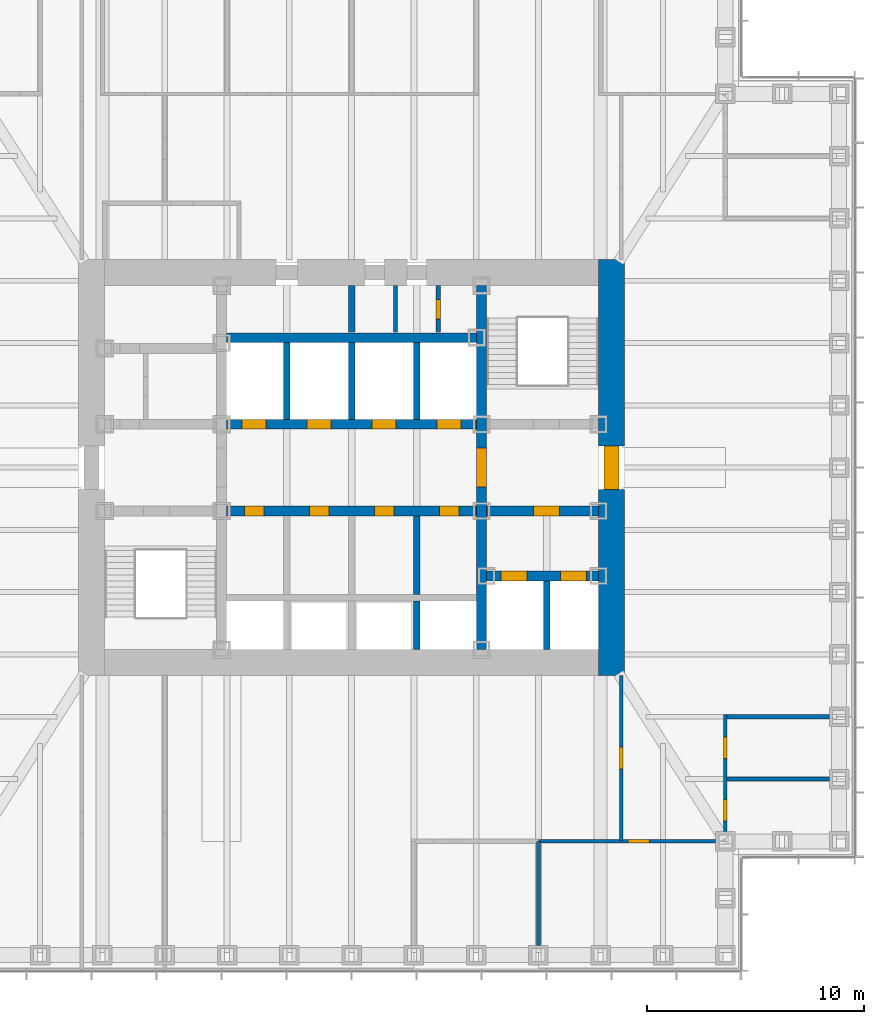
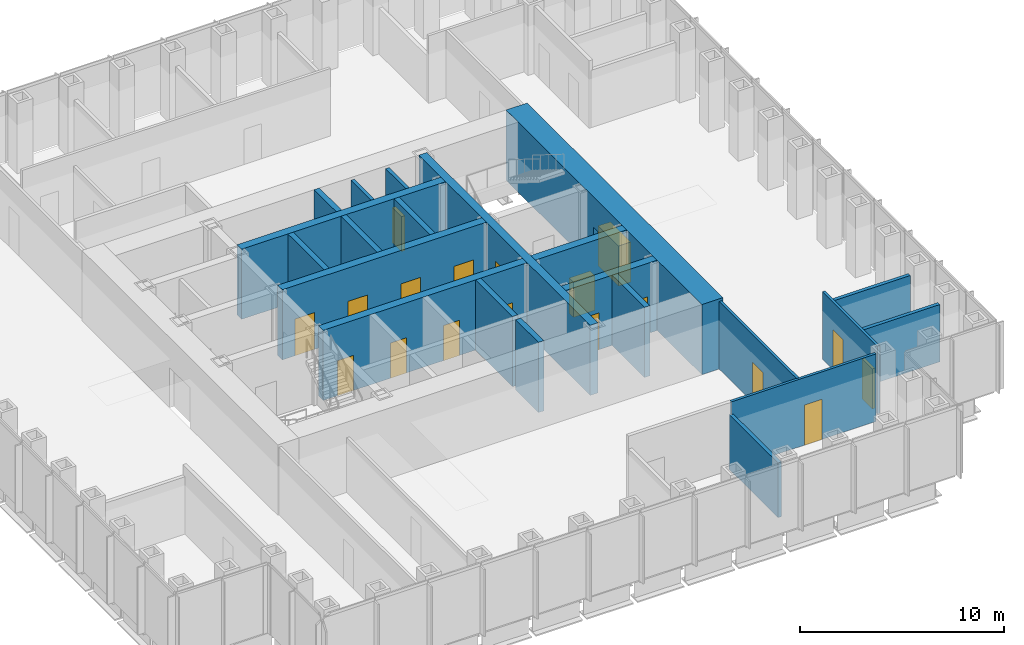
# One storey, part 9 of 17: 22 walls, 18 doors, 18 openings.
"""IFC4 building model written with IfcOpenShell, lengths in metres."""

import ifcopenshell
import ifcopenshell.guid

model = None  # the IFC model being written
_history = None  # IfcOwnerHistory: only IFC2X3 demands one
_inside = {}  # id of a spatial element -> (the spatial element, [elements in it])
_under = {}  # id of a project, library or spatial element -> (it, [spatial elements below it])
_declared = {}  # id of a project -> (the project, [libraries it declares])
_typed = {}  # id of a type object -> (the type object, [elements of that type])
_made_of = {}  # id of a material, layer set ... -> (it, [elements and type objects made of it])


def new_model(schema):
    """Start an empty IFC model of exactly this schema.

    Asked for "IFC4X3", IfcOpenShell would pick the latest addendum, in which some entities
    have other attributes; the version numbers below select the first issue.
    IFC2X3 requires an IfcOwnerHistory on every rooted entity: one is made here for all.
    """
    global model, _history
    if schema == "IFC4X3":
        model = ifcopenshell.file(schema_version=(4, 3, 0, 0))
    else:
        model = ifcopenshell.file(schema=schema)
    _inside.clear()
    _under.clear()
    _declared.clear()
    _typed.clear()
    _made_of.clear()
    _history = None
    if model.schema == "IFC2X3":
        org = make("IfcOrganization", Name="unknown")
        user = make(
            "IfcPersonAndOrganization",
            ThePerson=make("IfcPerson", FamilyName="unknown"),
            TheOrganization=org,
        )
        app = make(
            "IfcApplication",
            ApplicationDeveloper=org,
            Version="unknown",
            ApplicationFullName="unknown",
            ApplicationIdentifier="unknown",
        )
        _history = make(
            "IfcOwnerHistory",
            OwningUser=user,
            OwningApplication=app,
            ChangeAction="ADDED",
            CreationDate=0,
        )
    return model


def make(cls, **values):
    """One entity of the class cls with the attributes given. An attribute that is None is left unset."""
    return model.create_entity(
        cls, **{name: value for name, value in values.items() if value is not None}
    )


def rooted(cls, **values):
    """An entity with a GlobalId (a new one), such as an element, a storey or a relation."""
    return make(cls, GlobalId=ifcopenshell.guid.new(), OwnerHistory=_history, **values)


def si_unit(unit_type, name, prefix=None):
    """IfcSIUnit, for example si_unit("LENGTHUNIT", "METRE", prefix="MILLI")."""
    return make("IfcSIUnit", UnitType=unit_type, Prefix=prefix, Name=name)


def assignment(units):
    """IfcUnitAssignment: the units of a project."""
    return None if units is None else make("IfcUnitAssignment", Units=units)


def point(xyz):
    """IfcCartesianPoint."""
    return None if xyz is None else make("IfcCartesianPoint", Coordinates=xyz)


def direction(xyz):
    """IfcDirection."""
    return None if xyz is None else make("IfcDirection", DirectionRatios=xyz)


def frame(location, z_axis=None, x_axis=None):
    """IfcAxis2Placement3D, a coordinate frame: its origin and axes. An axis left out is left unset."""
    return make(
        "IfcAxis2Placement3D",
        Location=point(location),
        Axis=direction(z_axis),
        RefDirection=direction(x_axis),
    )


def frame_2d(location, x_axis=None):
    """IfcAxis2Placement2D, a coordinate frame in the plane: its origin and x axis."""
    return make(
        "IfcAxis2Placement2D", Location=point(location), RefDirection=direction(x_axis)
    )


def origin():
    """The frame at (0, 0, 0) with its axes left unset."""
    return frame((0.0, 0.0, 0.0))


def place(relative_to, where):
    """IfcLocalPlacement: puts the frame where relative to a parent placement (None: the world)."""
    return make(
        "IfcLocalPlacement", PlacementRelTo=relative_to, RelativePlacement=where
    )


def context(
    kind, dimensions, precision=None, world=None, true_north=None, identifier=None
):
    """IfcGeometricRepresentationContext, for example the 3D "Model" context."""
    return make(
        "IfcGeometricRepresentationContext",
        ContextIdentifier=identifier,
        ContextType=kind,
        CoordinateSpaceDimension=dimensions,
        Precision=precision,
        WorldCoordinateSystem=world,
        TrueNorth=true_north,
    )


def subcontext(parent, identifier, kind, view, scale=None):
    """IfcGeometricRepresentationSubContext, for example "Body" below "Model"."""
    return make(
        "IfcGeometricRepresentationSubContext",
        ContextIdentifier=identifier,
        ContextType=kind,
        ParentContext=parent,
        TargetScale=scale,
        TargetView=view,
    )


def project(units=None, contexts=None):
    """IfcProject with its units and contexts."""
    return rooted(
        "IfcProject",
        Name="project",
        RepresentationContexts=contexts,
        UnitsInContext=assignment(units),
    )


def spatial(cls, under=None, at=None, **own):
    """A site, building, storey or space (cls), placed at a placement, below another one or the project."""
    s = rooted(cls, ObjectPlacement=at, **own)
    if under is not None:
        _under.setdefault(under.id(), (under, []))[1].append(s)
    return s


def profile(cls, at=None, kind="AREA", **sizes):
    """A parametric profile (cls). Its sizes go by their IFC names, for example OverallWidth=200.0."""
    return make(cls, ProfileType=kind, Position=at, **sizes)


def rectangle(**sizes):
    """IfcRectangleProfileDef."""
    return profile("IfcRectangleProfileDef", **sizes)


def extrude(swept, where, along, depth):
    """IfcExtrudedAreaSolid: the profile swept, set in the frame where, extruded along a direction by depth."""
    return make(
        "IfcExtrudedAreaSolid",
        SweptArea=swept,
        Position=where,
        ExtrudedDirection=direction(along),
        Depth=depth,
    )


def shape(context_of_items, identifier, shape_type, items):
    """IfcShapeRepresentation: the items that make up one representation, for example the "Body"."""
    return make(
        "IfcShapeRepresentation",
        ContextOfItems=context_of_items,
        RepresentationIdentifier=identifier,
        RepresentationType=shape_type,
        Items=items,
    )


def material(Name=None, Category=None):
    """IfcMaterial."""
    return make("IfcMaterial", Name=Name, Category=Category)


def layer(
    of_material, thickness, ventilated=None, Name=None, Category=None, Priority=None
):
    """IfcMaterialLayer: one layer of a wall or slab, of a material (None: an air gap)."""
    return make(
        "IfcMaterialLayer",
        Material=of_material,
        LayerThickness=thickness,
        IsVentilated=ventilated,
        Name=Name,
        Category=Category,
        Priority=Priority,
    )


def layer_set(layers, Name=None):
    """IfcMaterialLayerSet."""
    return make("IfcMaterialLayerSet", MaterialLayers=layers, LayerSetName=Name)


def made_of(thing, what):
    """Note that an element or type object is made of a material, layer set ...; save() writes the relation."""
    if what is not None:
        _made_of.setdefault(what.id(), (what, []))[1].append(thing)
    return thing


def type_object(cls, material=None, **own):
    """A type object (cls), such as IfcWallType, which elements share."""
    return made_of(rooted(cls, **own), material)


def element(
    cls,
    number,
    at=None,
    inside=None,
    cuts=None,
    type_object=None,
    material=None,
    context=None,
    identifier="Body",
    shape_type=None,
    held_by="IfcProductDefinitionShape",
    body=None,
    shapes=None,
    **own,
):
    """One element of the class cls, such as IfcWall. Its Tag is "e" and its number.

    at: its placement. inside: the storey or other place that contains it. cuts: it is an
    opening in that element (IfcRelVoidsElement). A single representation is given by context,
    identifier, shape_type and body (its items); several are given by shapes. held_by: the class
    of the entity that holds the representations. save() writes the other relations.
    """
    e = rooted(cls, Tag="e%d" % number, ObjectPlacement=at, **own)
    if body is not None:
        shapes = [shape(context, identifier, shape_type, body)]
    if shapes is not None:
        e.Representation = make(held_by, Representations=shapes)
    if inside is not None:
        _inside.setdefault(inside.id(), (inside, []))[1].append(e)
    if cuts is not None:
        rooted(
            "IfcRelVoidsElement", RelatingBuildingElement=cuts, RelatedOpeningElement=e
        )
    if type_object is not None:
        _typed.setdefault(type_object.id(), (type_object, []))[1].append(e)
    return made_of(e, material)


def fill(opening, filler):
    """IfcRelFillsElement: the door or window that sits in an opening."""
    return rooted(
        "IfcRelFillsElement",
        RelatingOpeningElement=opening,
        RelatedBuildingElement=filler,
    )


def aggregate(whole, parts):
    """IfcRelAggregates: a whole, such as a stair, and the parts it consists of."""
    return rooted("IfcRelAggregates", RelatingObject=whole, RelatedObjects=parts)


def save(model, path):
    """Write the relations noted so far, then the file.

    IfcRelAggregates (storeys below a building ...), IfcRelContainedInSpatialStructure (elements
    in a storey), IfcRelDefinesByType, IfcRelAssociatesMaterial and IfcRelDeclares: one each for
    every whole, place, type object, material and project.
    """
    for whole, parts in _under.values():
        aggregate(whole, parts)
    for where, things in _inside.values():
        rooted(
            "IfcRelContainedInSpatialStructure",
            RelatedElements=things,
            RelatingStructure=where,
        )
    for kind, things in _typed.values():
        rooted("IfcRelDefinesByType", RelatedObjects=things, RelatingType=kind)
    for what, things in _made_of.values():
        rooted("IfcRelAssociatesMaterial", RelatedObjects=things, RelatingMaterial=what)
    for by, libraries in _declared.values():
        rooted("IfcRelDeclares", RelatingContext=by, RelatedDefinitions=libraries)
    model.write(path)


model = new_model("IFC4")

# Units and contexts
model_context = context("Model", 3, precision=1e-05, world=origin(), true_north=direction((0.0, 1.0)))
body_context = subcontext(model_context, "Body", "Model", "MODEL_VIEW")
ifc_project = project(units=[si_unit("LENGTHUNIT", "METRE"), si_unit("AREAUNIT", "SQUARE_METRE"), si_unit("VOLUMEUNIT", "CUBIC_METRE"), si_unit("PLANEANGLEUNIT", "RADIAN"), si_unit("MASSUNIT", "GRAM", prefix="KILO")], contexts=[model_context])

# Site, building, storey
site_placement = place(None, origin())
site = spatial("IfcSite", under=ifc_project, at=site_placement, CompositionType="ELEMENT")
building_placement = place(site_placement, origin())
building = spatial("IfcBuilding", under=site, at=building_placement, Name="Daluyong Arena Tower", CompositionType="ELEMENT")
storey_placement = place(building_placement, frame((0.0, 0.0, 129.10009765625)))
storey = spatial("IfcBuildingStorey", under=building, at=storey_placement, Name="L28", CompositionType="ELEMENT", Elevation=129.10009765625)

# Wall, opening, door
ifc_material_1 = material(Name="Concrete fc' 45 MPa", Category="concrete")
ifc_layer_1 = layer(ifc_material_1, 0.449951171875)
ifc_layer_set_1 = layer_set([ifc_layer_1], Name="Concrete fc' 45 MPa")
wall_type_1 = type_object("IfcWallType", Name="Core inner wall 450", PredefinedType="SHEAR", material=ifc_layer_set_1)
wall_1_placement = place(storey_placement, frame((62.0, 71.60009765625, 0.0), z_axis=(0.0, 0.0, 1.0), x_axis=(0.0, 1.0, 0.0)))
wall_1 = element("IfcWall", 1, at=wall_1_placement, inside=storey, type_object=wall_type_1, Name="core inner wall at L28", PredefinedType="SHEAR", context=body_context, shape_type="SweptSolid", body=[
    extrude(rectangle(XDim=16.7998046875, YDim=0.449951171875, at=frame_2d((8.39990234375, 0.0))), origin(), (0.0, 0.0, 1.0), 4.199951171875),
])
opening_1_placement = place(wall_1_placement, frame((7.5, 0.0, 0.0)))
opening_1 = element("IfcOpeningElement", 2, at=opening_1_placement, cuts=wall_1, Name="Opening 28017", PredefinedType="OPENING", context=body_context, shape_type="SweptSolid", body=[
    extrude(rectangle(XDim=1.800048828125, YDim=2.39990234375, at=frame_2d((0.89990234375, 1.199951171875))), frame((0.0, 0.23486328125, 0.0), z_axis=(0.0, -1.0, 0.0), x_axis=(1.0, 0.0, 0.0)), (0.0, 0.0, 1.0), 0.469970703125),
])
ifc_material_2 = material(Name="Steel door, fire rated", Category="steel")
door_type_1 = type_object("IfcDoorType", Name="Lift lobby opening door 1800", OperationType="DOUBLE_DOOR_SINGLE_SWING", PredefinedType="DOOR", material=ifc_material_2)
door_1_placement = place(opening_1_placement, origin())
door_1 = element("IfcDoor", 3, at=door_1_placement, inside=storey, type_object=door_type_1, Name="lift lobby door east 28017", OperationType="DOUBLE_DOOR_SINGLE_SWING", OverallHeight=2.39990234375, OverallWidth=1.800048828125, PredefinedType="DOOR", context=body_context, shape_type="SweptSolid", body=[
    extrude(rectangle(XDim=1.800048828125, YDim=2.39990234375, at=frame_2d((0.89990234375, 1.199951171875))), frame((0.0, 0.224609375, 0.0), z_axis=(0.0, -1.0, 0.0), x_axis=(1.0, 0.0, 0.0)), (0.0, 0.0, 1.0), 0.449462890625),
])
fill(opening_1, door_1)

# Wall, openings, doors
wall_2_placement = place(storey_placement, frame((62.22509765625, 75.0, 0.0), z_axis=(0.0, 0.0, 1.0), x_axis=(1.0, 0.0, 0.0)))
wall_2 = element("IfcWall", 4, at=wall_2_placement, inside=storey, type_object=wall_type_1, Name="core inner wall at L28", PredefinedType="SHEAR", context=body_context, shape_type="SweptSolid", body=[
    extrude(rectangle(XDim=5.1748046875, YDim=0.449951171875, at=frame_2d((2.58740234375, 0.0))), origin(), (0.0, 0.0, 1.0), 4.199951171875),
])
opening_2_placement = place(wall_2_placement, frame((0.675048828125, 0.0, 0.0)))
opening_2 = element("IfcOpeningElement", 5, at=opening_2_placement, cuts=wall_2, Name="Opening 28023", PredefinedType="OPENING", context=body_context, shape_type="SweptSolid", body=[
    extrude(rectangle(XDim=1.199951171875, YDim=2.199951171875, at=frame_2d((0.60009765625, 1.10009765625))), frame((0.0, 0.23486328125, 0.0), z_axis=(0.0, -1.0, 0.0), x_axis=(1.0, 0.0, 0.0)), (0.0, 0.0, 1.0), 0.469970703125),
])
opening_3_placement = place(wall_2_placement, frame((3.425048828125, 0.0, 0.0)))
opening_3 = element("IfcOpeningElement", 6, at=opening_3_placement, cuts=wall_2, Name="Opening 28024", PredefinedType="OPENING", context=body_context, shape_type="SweptSolid", body=[
    extrude(rectangle(XDim=1.199951171875, YDim=2.199951171875, at=frame_2d((0.60009765625, 1.10009765625))), frame((0.0, 0.23486328125, 0.0), z_axis=(0.0, -1.0, 0.0), x_axis=(1.0, 0.0, 0.0)), (0.0, 0.0, 1.0), 0.469970703125),
])
ifc_material_3 = material(Name="Steel door, fire rated", Category="steel")
door_type_2 = type_object("IfcDoorType", Name="Firefighting lift landing door 1200", OperationType="SLIDING_TO_LEFT", PredefinedType="DOOR", material=ifc_material_3)
door_2_placement = place(opening_2_placement, origin())
door_2 = element("IfcDoor", 7, at=door_2_placement, inside=storey, type_object=door_type_2, Name="firefighting lift landing door F1 28023", OperationType="SLIDING_TO_LEFT", OverallHeight=2.199951171875, OverallWidth=1.199951171875, PredefinedType="DOOR", context=body_context, shape_type="SweptSolid", body=[
    extrude(rectangle(XDim=1.199951171875, YDim=2.199951171875, at=frame_2d((0.60009765625, 1.10009765625))), frame((0.0, 0.224609375, 0.0), z_axis=(0.0, -1.0, 0.0), x_axis=(1.0, 0.0, 0.0)), (0.0, 0.0, 1.0), 0.449462890625),
])
fill(opening_2, door_2)
door_3_placement = place(opening_3_placement, origin())
door_3 = element("IfcDoor", 8, at=door_3_placement, inside=storey, type_object=door_type_2, Name="firefighting lift landing door F2 28024", OperationType="SLIDING_TO_LEFT", OverallHeight=2.199951171875, OverallWidth=1.199951171875, PredefinedType="DOOR", context=body_context, shape_type="SweptSolid", body=[
    extrude(rectangle(XDim=1.199951171875, YDim=2.199951171875, at=frame_2d((0.60009765625, 1.10009765625))), frame((0.0, 0.224609375, 0.0), z_axis=(0.0, -1.0, 0.0), x_axis=(1.0, 0.0, 0.0)), (0.0, 0.0, 1.0), 0.449462890625),
])
fill(opening_3, door_3)

# Wall, opening, door
wall_3_placement = place(storey_placement, frame((62.22509765625, 78.0, 0.0), z_axis=(0.0, 0.0, 1.0), x_axis=(1.0, 0.0, 0.0)))
wall_3 = element("IfcWall", 9, at=wall_3_placement, inside=storey, type_object=wall_type_1, Name="core inner wall at L28", PredefinedType="SHEAR", context=body_context, shape_type="SweptSolid", body=[
    extrude(rectangle(XDim=5.1748046875, YDim=0.449951171875, at=frame_2d((2.58740234375, 0.0))), origin(), (0.0, 0.0, 1.0), 4.199951171875),
])
opening_4_placement = place(wall_3_placement, frame((2.175048828125, 0.0, 0.0)))
opening_4 = element("IfcOpeningElement", 10, at=opening_4_placement, cuts=wall_3, Name="Opening 28018", PredefinedType="OPENING", context=body_context, shape_type="SweptSolid", body=[
    extrude(rectangle(XDim=1.199951171875, YDim=2.10009765625, at=frame_2d((0.60009765625, 1.050048828125))), frame((0.0, 0.23486328125, 0.0), z_axis=(0.0, -1.0, 0.0), x_axis=(1.0, 0.0, 0.0)), (0.0, 0.0, 1.0), 0.469970703125),
])
ifc_material_4 = material(Name="Steel door, fire rated", Category="steel")
door_type_3 = type_object("IfcDoorType", Name="Firefighting lobby door 1200", OperationType="SINGLE_SWING_RIGHT", PredefinedType="DOOR", material=ifc_material_4)
door_4_placement = place(opening_4_placement, origin())
door_4 = element("IfcDoor", 11, at=door_4_placement, inside=storey, type_object=door_type_3, Name="firefighting lobby door 28018", OperationType="SINGLE_SWING_RIGHT", OverallHeight=2.10009765625, OverallWidth=1.199951171875, PredefinedType="DOOR", context=body_context, shape_type="SweptSolid", body=[
    extrude(rectangle(XDim=1.199951171875, YDim=2.10009765625, at=frame_2d((0.60009765625, 1.050048828125))), frame((0.0, 0.224609375, 0.0), z_axis=(0.0, -1.0, 0.0), x_axis=(1.0, 0.0, 0.0)), (0.0, 0.0, 1.0), 0.449462890625),
])
fill(opening_4, door_4)

# Wall, openings, doors
wall_4_placement = place(storey_placement, frame((50.22509765625, 78.0, 0.0), z_axis=(0.0, 0.0, 1.0), x_axis=(1.0, 0.0, 0.0)))
wall_4 = element("IfcWall", 12, at=wall_4_placement, inside=storey, type_object=wall_type_1, Name="core inner wall at L28", PredefinedType="SHEAR", context=body_context, shape_type="SweptSolid", body=[
    extrude(rectangle(XDim=11.5498046875, YDim=0.449951171875, at=frame_2d((5.77490234375, 0.0))), origin(), (0.0, 0.0, 1.0), 4.199951171875),
])
opening_5_placement = place(wall_4_placement, frame((0.824951171875, 0.0, 0.0)))
opening_5 = element("IfcOpeningElement", 13, at=opening_5_placement, cuts=wall_4, Name="Opening 28008", PredefinedType="OPENING", context=body_context, shape_type="SweptSolid", body=[
    extrude(rectangle(XDim=0.89990234375, YDim=2.10009765625, at=frame_2d((0.449951171875, 1.050048828125))), frame((0.0, 0.23486328125, 0.0), z_axis=(0.0, -1.0, 0.0), x_axis=(1.0, 0.0, 0.0)), (0.0, 0.0, 1.0), 0.469970703125),
])
opening_6_placement = place(wall_4_placement, frame((3.824951171875, 0.0, 0.0)))
opening_6 = element("IfcOpeningElement", 14, at=opening_6_placement, cuts=wall_4, Name="Opening 28009", PredefinedType="OPENING", context=body_context, shape_type="SweptSolid", body=[
    extrude(rectangle(XDim=0.89990234375, YDim=2.10009765625, at=frame_2d((0.449951171875, 1.050048828125))), frame((0.0, 0.23486328125, 0.0), z_axis=(0.0, -1.0, 0.0), x_axis=(1.0, 0.0, 0.0)), (0.0, 0.0, 1.0), 0.469970703125),
])
opening_7_placement = place(wall_4_placement, frame((6.824951171875, 0.0, 0.0)))
opening_7 = element("IfcOpeningElement", 15, at=opening_7_placement, cuts=wall_4, Name="Opening 28010", PredefinedType="OPENING", context=body_context, shape_type="SweptSolid", body=[
    extrude(rectangle(XDim=0.89990234375, YDim=2.10009765625, at=frame_2d((0.449951171875, 1.050048828125))), frame((0.0, 0.23486328125, 0.0), z_axis=(0.0, -1.0, 0.0), x_axis=(1.0, 0.0, 0.0)), (0.0, 0.0, 1.0), 0.469970703125),
])
opening_8_placement = place(wall_4_placement, frame((9.824951171875, 0.0, 0.0)))
opening_8 = element("IfcOpeningElement", 16, at=opening_8_placement, cuts=wall_4, Name="Opening 28011", PredefinedType="OPENING", context=body_context, shape_type="SweptSolid", body=[
    extrude(rectangle(XDim=0.89990234375, YDim=2.10009765625, at=frame_2d((0.449951171875, 1.050048828125))), frame((0.0, 0.23486328125, 0.0), z_axis=(0.0, -1.0, 0.0), x_axis=(1.0, 0.0, 0.0)), (0.0, 0.0, 1.0), 0.469970703125),
])
ifc_material_5 = material(Name="Steel door, fire rated", Category="steel")
door_type_4 = type_object("IfcDoorType", Name="Core room door 900", OperationType="SINGLE_SWING_LEFT", PredefinedType="DOOR", material=ifc_material_5)
door_5_placement = place(opening_5_placement, origin())
door_5 = element("IfcDoor", 17, at=door_5_placement, inside=storey, type_object=door_type_4, Name="staff pantry door 28008", OperationType="SINGLE_SWING_LEFT", OverallHeight=2.10009765625, OverallWidth=0.89990234375, PredefinedType="DOOR", context=body_context, shape_type="SweptSolid", body=[
    extrude(rectangle(XDim=0.89990234375, YDim=2.10009765625, at=frame_2d((0.449951171875, 1.050048828125))), frame((0.0, 0.224609375, 0.0), z_axis=(0.0, -1.0, 0.0), x_axis=(1.0, 0.0, 0.0)), (0.0, 0.0, 1.0), 0.449462890625),
])
fill(opening_5, door_5)
door_6_placement = place(opening_7_placement, origin())
door_6 = element("IfcDoor", 18, at=door_6_placement, inside=storey, type_object=door_type_4, Name="print room door 28010", OperationType="SINGLE_SWING_LEFT", OverallHeight=2.10009765625, OverallWidth=0.89990234375, PredefinedType="DOOR", context=body_context, shape_type="SweptSolid", body=[
    extrude(rectangle(XDim=0.89990234375, YDim=2.10009765625, at=frame_2d((0.449951171875, 1.050048828125))), frame((0.0, 0.224609375, 0.0), z_axis=(0.0, -1.0, 0.0), x_axis=(1.0, 0.0, 0.0)), (0.0, 0.0, 1.0), 0.449462890625),
])
fill(opening_7, door_6)
ifc_material_6 = material(Name="Steel door, fire rated", Category="steel")
door_type_5 = type_object("IfcDoorType", Name="Core store door 900", OperationType="SINGLE_SWING_LEFT", PredefinedType="DOOR", material=ifc_material_6)
door_7_placement = place(opening_8_placement, origin())
door_7 = element("IfcDoor", 19, at=door_7_placement, inside=storey, type_object=door_type_5, Name="security store door 28011", OperationType="SINGLE_SWING_LEFT", OverallHeight=2.10009765625, OverallWidth=0.89990234375, PredefinedType="DOOR", context=body_context, shape_type="SweptSolid", body=[
    extrude(rectangle(XDim=0.89990234375, YDim=2.10009765625, at=frame_2d((0.449951171875, 1.050048828125))), frame((0.0, 0.224609375, 0.0), z_axis=(0.0, -1.0, 0.0), x_axis=(1.0, 0.0, 0.0)), (0.0, 0.0, 1.0), 0.449462890625),
])
fill(opening_8, door_7)
ifc_material_7 = material(Name="Steel door, fire rated", Category="steel")
door_type_6 = type_object("IfcDoorType", Name="Plant room door 900", OperationType="SINGLE_SWING_LEFT", PredefinedType="DOOR", material=ifc_material_7)
door_8_placement = place(opening_6_placement, origin())
door_8 = element("IfcDoor", 20, at=door_8_placement, inside=storey, type_object=door_type_6, Name="comms room door 28009", OperationType="SINGLE_SWING_LEFT", OverallHeight=2.10009765625, OverallWidth=0.89990234375, PredefinedType="DOOR", context=body_context, shape_type="SweptSolid", body=[
    extrude(rectangle(XDim=0.89990234375, YDim=2.10009765625, at=frame_2d((0.449951171875, 1.050048828125))), frame((0.0, 0.224609375, 0.0), z_axis=(0.0, -1.0, 0.0), x_axis=(1.0, 0.0, 0.0)), (0.0, 0.0, 1.0), 0.449462890625),
])
fill(opening_6, door_8)

wall_5_placement = place(storey_placement, frame((50.22509765625, 82.0, 0.0), z_axis=(0.0, 0.0, 1.0), x_axis=(1.0, 0.0, 0.0)))
wall_5 = element("IfcWall", 21, at=wall_5_placement, inside=storey, type_object=wall_type_1, Name="core inner wall at L28", PredefinedType="SHEAR", context=body_context, shape_type="SweptSolid", body=[
    extrude(rectangle(XDim=11.5498046875, YDim=0.449951171875, at=frame_2d((5.77490234375, 0.0))), origin(), (0.0, 0.0, 1.0), 4.199951171875),
])
opening_9_placement = place(wall_5_placement, frame((0.72509765625, 0.0, 0.0)))
opening_9 = element("IfcOpeningElement", 22, at=opening_9_placement, cuts=wall_5, Name="Opening 28019", PredefinedType="OPENING", context=body_context, shape_type="SweptSolid", body=[
    extrude(rectangle(XDim=1.10009765625, YDim=2.199951171875, at=frame_2d((0.550048828125, 1.10009765625))), frame((0.0, 0.23486328125, 0.0), z_axis=(0.0, -1.0, 0.0), x_axis=(1.0, 0.0, 0.0)), (0.0, 0.0, 1.0), 0.469970703125),
])
opening_10_placement = place(wall_5_placement, frame((3.72509765625, 0.0, 0.0)))
opening_10 = element("IfcOpeningElement", 23, at=opening_10_placement, cuts=wall_5, Name="Opening 28020", PredefinedType="OPENING", context=body_context, shape_type="SweptSolid", body=[
    extrude(rectangle(XDim=1.10009765625, YDim=2.199951171875, at=frame_2d((0.550048828125, 1.10009765625))), frame((0.0, 0.23486328125, 0.0), z_axis=(0.0, -1.0, 0.0), x_axis=(1.0, 0.0, 0.0)), (0.0, 0.0, 1.0), 0.469970703125),
])
opening_11_placement = place(wall_5_placement, frame((6.72509765625, 0.0, 0.0)))
opening_11 = element("IfcOpeningElement", 24, at=opening_11_placement, cuts=wall_5, Name="Opening 28021", PredefinedType="OPENING", context=body_context, shape_type="SweptSolid", body=[
    extrude(rectangle(XDim=1.10009765625, YDim=2.199951171875, at=frame_2d((0.550048828125, 1.10009765625))), frame((0.0, 0.23486328125, 0.0), z_axis=(0.0, -1.0, 0.0), x_axis=(1.0, 0.0, 0.0)), (0.0, 0.0, 1.0), 0.469970703125),
])
opening_12_placement = place(wall_5_placement, frame((9.72509765625, 0.0, 0.0)))
opening_12 = element("IfcOpeningElement", 25, at=opening_12_placement, cuts=wall_5, Name="Opening 28022", PredefinedType="OPENING", context=body_context, shape_type="SweptSolid", body=[
    extrude(rectangle(XDim=1.10009765625, YDim=2.199951171875, at=frame_2d((0.550048828125, 1.10009765625))), frame((0.0, 0.23486328125, 0.0), z_axis=(0.0, -1.0, 0.0), x_axis=(1.0, 0.0, 0.0)), (0.0, 0.0, 1.0), 0.469970703125),
])
ifc_material_8 = material(Name="Steel door, fire rated", Category="steel")
door_type_7 = type_object("IfcDoorType", Name="Lift landing door 1100", OperationType="SLIDING_TO_LEFT", PredefinedType="DOOR", material=ifc_material_8)
door_9_placement = place(opening_9_placement, origin())
door_9 = element("IfcDoor", 26, at=door_9_placement, inside=storey, type_object=door_type_7, Name="lift landing door B1 28019", OperationType="SLIDING_TO_LEFT", OverallHeight=2.199951171875, OverallWidth=1.10009765625, PredefinedType="DOOR", context=body_context, shape_type="SweptSolid", body=[
    extrude(rectangle(XDim=1.10009765625, YDim=2.199951171875, at=frame_2d((0.550048828125, 1.10009765625))), frame((0.0, 0.224609375, 0.0), z_axis=(0.0, -1.0, 0.0), x_axis=(1.0, 0.0, 0.0)), (0.0, 0.0, 1.0), 0.449462890625),
])
fill(opening_9, door_9)
door_10_placement = place(opening_10_placement, origin())
door_10 = element("IfcDoor", 27, at=door_10_placement, inside=storey, type_object=door_type_7, Name="lift landing door B2 28020", OperationType="SLIDING_TO_LEFT", OverallHeight=2.199951171875, OverallWidth=1.10009765625, PredefinedType="DOOR", context=body_context, shape_type="SweptSolid", body=[
    extrude(rectangle(XDim=1.10009765625, YDim=2.199951171875, at=frame_2d((0.550048828125, 1.10009765625))), frame((0.0, 0.224609375, 0.0), z_axis=(0.0, -1.0, 0.0), x_axis=(1.0, 0.0, 0.0)), (0.0, 0.0, 1.0), 0.449462890625),
])
fill(opening_10, door_10)
door_11_placement = place(opening_11_placement, origin())
door_11 = element("IfcDoor", 28, at=door_11_placement, inside=storey, type_object=door_type_7, Name="lift landing door B3 28021", OperationType="SLIDING_TO_LEFT", OverallHeight=2.199951171875, OverallWidth=1.10009765625, PredefinedType="DOOR", context=body_context, shape_type="SweptSolid", body=[
    extrude(rectangle(XDim=1.10009765625, YDim=2.199951171875, at=frame_2d((0.550048828125, 1.10009765625))), frame((0.0, 0.224609375, 0.0), z_axis=(0.0, -1.0, 0.0), x_axis=(1.0, 0.0, 0.0)), (0.0, 0.0, 1.0), 0.449462890625),
])
fill(opening_11, door_11)
door_12_placement = place(opening_12_placement, origin())
door_12 = element("IfcDoor", 29, at=door_12_placement, inside=storey, type_object=door_type_7, Name="lift landing door B4 28022", OperationType="SLIDING_TO_LEFT", OverallHeight=2.199951171875, OverallWidth=1.10009765625, PredefinedType="DOOR", context=body_context, shape_type="SweptSolid", body=[
    extrude(rectangle(XDim=1.10009765625, YDim=2.199951171875, at=frame_2d((0.550048828125, 1.10009765625))), frame((0.0, 0.224609375, 0.0), z_axis=(0.0, -1.0, 0.0), x_axis=(1.0, 0.0, 0.0)), (0.0, 0.0, 1.0), 0.449462890625),
])
fill(opening_12, door_12)

# Wall
wall_6_placement = place(storey_placement, frame((50.22509765625, 86.0, 0.0), z_axis=(0.0, 0.0, 1.0), x_axis=(1.0, 0.0, 0.0)))
element("IfcWall", 30, at=wall_6_placement, inside=storey, type_object=wall_type_1, Name="core inner wall at L28", PredefinedType="SHEAR", context=body_context, shape_type="SweptSolid", body=[
    extrude(rectangle(XDim=11.5498046875, YDim=0.449951171875, at=frame_2d((5.77490234375, 0.0))), origin(), (0.0, 0.0, 1.0), 4.199951171875),
])

# Wall, opening, door
ifc_material_9 = material(Name="Concrete fc' 60 MPa", Category="concrete")
ifc_layer_2 = layer(ifc_material_9, 1.199951171875)
ifc_layer_set_2 = layer_set([ifc_layer_2], Name="Concrete fc' 60 MPa")
wall_type_2 = type_object("IfcWallType", Name="Core wall 1200", PredefinedType="SHEAR", material=ifc_layer_set_2)
wall_7_placement = place(storey_placement, frame((68.0, 70.39990234375, 0.0), z_axis=(0.0, 0.0, 1.0), x_axis=(0.0, 1.0, 0.0)))
wall_7 = element("IfcWall", 31, at=wall_7_placement, inside=storey, type_object=wall_type_2, Name="core wall at L28", PredefinedType="SHEAR", context=body_context, shape_type="SweptSolid", body=[
    extrude(rectangle(XDim=19.2001953125, YDim=1.199951171875, at=frame_2d((9.60009765625, 0.0))), origin(), (0.0, 0.0, 1.0), 4.199951171875),
])
opening_13_placement = place(wall_7_placement, frame((8.60009765625, 0.0, 0.0)))
opening_13 = element("IfcOpeningElement", 32, at=opening_13_placement, cuts=wall_7, Name="Opening 28015", PredefinedType="OPENING", context=body_context, shape_type="SweptSolid", body=[
    extrude(rectangle(XDim=2.0, YDim=2.39990234375, at=frame_2d((1.0, 1.199951171875))), frame((0.0, 0.60986328125, 0.0), z_axis=(0.0, -1.0, 0.0), x_axis=(1.0, 0.0, 0.0)), (0.0, 0.0, 1.0), 1.219970703125),
])
ifc_material_10 = material(Name="Steel door, fire rated", Category="steel")
door_type_8 = type_object("IfcDoorType", Name="Core lobby double door 2000", OperationType="DOUBLE_DOOR_SINGLE_SWING", PredefinedType="DOOR", material=ifc_material_10)
door_13_placement = place(opening_13_placement, origin())
door_13 = element("IfcDoor", 33, at=door_13_placement, inside=storey, type_object=door_type_8, Name="core lobby door east 28015", OperationType="DOUBLE_DOOR_SINGLE_SWING", OverallHeight=2.39990234375, OverallWidth=2.0, PredefinedType="DOOR", context=body_context, shape_type="SweptSolid", body=[
    extrude(rectangle(XDim=2.0, YDim=2.39990234375, at=frame_2d((1.0, 1.199951171875))), frame((0.0, 0.35009765625, 0.0), z_axis=(0.0, -1.0, 0.0), x_axis=(1.0, 0.0, 0.0)), (0.0, 0.0, 1.0), 0.699951171875),
])
fill(opening_13, door_13)

ifc_material_11 = material(Name="Concrete block partition, fire rated", Category="concrete")
ifc_layer_3 = layer(ifc_material_11, 0.199951171875)
ifc_layer_set_3 = layer_set([ifc_layer_3], Name="Concrete block partition, fire rated")
wall_type_3 = type_object("IfcWallType", Name="Fire-rated partition 200", PredefinedType="PARTITIONING", material=ifc_layer_set_3)
wall_8_placement = place(storey_placement, frame((60.0, 86.22509765625, 0.0), z_axis=(0.0, 0.0, 1.0), x_axis=(0.0, 1.0, 0.0)))
wall_8 = element("IfcWall", 34, at=wall_8_placement, inside=storey, type_object=wall_type_3, Name="electrical riser enclosure at L28", PredefinedType="PARTITIONING", context=body_context, shape_type="SweptSolid", body=[
    extrude(rectangle(XDim=2.1748046875, YDim=0.199951171875, at=frame_2d((1.08740234375, 0.0))), origin(), (0.0, 0.0, 1.0), 4.039794921875),
])
opening_14_placement = place(wall_8_placement, frame((0.637451171875, 0.0, 0.0)))
opening_14 = element("IfcOpeningElement", 35, at=opening_14_placement, cuts=wall_8, Name="Opening 28007", PredefinedType="OPENING", context=body_context, shape_type="SweptSolid", body=[
    extrude(rectangle(XDim=0.89990234375, YDim=2.10009765625, at=frame_2d((0.449951171875, 1.050048828125))), frame((0.0, 0.10986328125, 0.0), z_axis=(0.0, -1.0, 0.0), x_axis=(1.0, 0.0, 0.0)), (0.0, 0.0, 1.0), 0.219970703125),
])
ifc_material_12 = material(Name="Steel door, fire rated", Category="steel")
door_type_9 = type_object("IfcDoorType", Name="Riser door 900", OperationType="SINGLE_SWING_LEFT", PredefinedType="DOOR", material=ifc_material_12)
door_14_placement = place(opening_14_placement, origin())
door_14 = element("IfcDoor", 36, at=door_14_placement, inside=storey, type_object=door_type_9, Name="riser door 28007", OperationType="SINGLE_SWING_LEFT", OverallHeight=2.10009765625, OverallWidth=0.89990234375, PredefinedType="DOOR", context=body_context, shape_type="SweptSolid", body=[
    extrude(rectangle(XDim=0.89990234375, YDim=2.10009765625, at=frame_2d((0.449951171875, 1.050048828125))), frame((0.0, 0.099609375, 0.0), z_axis=(0.0, -1.0, 0.0), x_axis=(1.0, 0.0, 0.0)), (0.0, 0.0, 1.0), 0.199462890625),
])
fill(opening_14, door_14)

# Wall
wall_9_placement = place(storey_placement, frame((58.02490234375, 86.22509765625, 0.0), z_axis=(0.0, 0.0, 1.0), x_axis=(0.0, 1.0, 0.0)))
element("IfcWall", 37, at=wall_9_placement, inside=storey, type_object=wall_type_3, Name="core room partition at L28", PredefinedType="PARTITIONING", context=body_context, shape_type="SweptSolid", body=[
    extrude(rectangle(XDim=2.1748046875, YDim=0.199951171875, at=frame_2d((1.08740234375, 0.0))), origin(), (0.0, 0.0, 1.0), 4.039794921875),
])

# Wall, opening, door
ifc_material_13 = material(Name="Glazed aluminium partition", Category="aluminium")
ifc_layer_4 = layer(ifc_material_13, 0.14990234375)
ifc_layer_set_4 = layer_set([ifc_layer_4], Name="Glazed aluminium partition")
wall_type_4 = type_object("IfcWallType", Name="Glazed partition 150", PredefinedType="PARTITIONING", material=ifc_layer_set_4)
wall_10_placement = place(storey_placement, frame((64.625, 62.75, 0.0), z_axis=(0.0, 0.0, 1.0), x_axis=(1.0, 0.0, 0.0)))
wall_10 = element("IfcWall", 38, at=wall_10_placement, inside=storey, type_object=wall_type_4, Name="glazed partition at L28", PredefinedType="PARTITIONING", context=body_context, shape_type="SweptSolid", body=[
    extrude(rectangle(XDim=8.175048828125, YDim=0.14990234375, at=frame_2d((4.08740234375, 0.0))), origin(), (0.0, 0.0, 1.0), 4.039794921875),
])
opening_15_placement = place(wall_10_placement, frame((4.125, 0.0, 0.0)))
opening_15 = element("IfcOpeningElement", 39, at=opening_15_placement, cuts=wall_10, Name="Opening 28026", PredefinedType="OPENING", context=body_context, shape_type="SweptSolid", body=[
    extrude(rectangle(XDim=1.0, YDim=2.39990234375, at=frame_2d((0.5, 1.199951171875))), frame((0.0, 0.0849609375, 0.0), z_axis=(0.0, -1.0, 0.0), x_axis=(1.0, 0.0, 0.0)), (0.0, 0.0, 1.0), 0.169921875),
])
ifc_material_14 = material(Name="Glazed aluminium door", Category="aluminium")
door_type_10 = type_object("IfcDoorType", Name="Meeting room glazed door 1000", OperationType="SINGLE_SWING_RIGHT", PredefinedType="DOOR", material=ifc_material_14)
door_15_placement = place(opening_15_placement, origin())
door_15 = element("IfcDoor", 40, at=door_15_placement, inside=storey, type_object=door_type_10, Name="meeting room door 28026", OperationType="SINGLE_SWING_RIGHT", OverallHeight=2.39990234375, OverallWidth=1.0, PredefinedType="DOOR", context=body_context, shape_type="SweptSolid", body=[
    extrude(rectangle(XDim=1.0, YDim=2.39990234375, at=frame_2d((0.5, 1.199951171875))), frame((0.0, 0.07470703125, 0.0), z_axis=(0.0, -1.0, 0.0), x_axis=(1.0, 0.0, 0.0)), (0.0, 0.0, 1.0), 0.1494140625),
])
fill(opening_15, door_15)

wall_11_placement = place(storey_placement, frame((68.449951171875, 62.800048828125, 0.0), z_axis=(0.0, 0.0, 1.0), x_axis=(0.0, 1.0, 0.0)))
wall_11 = element("IfcWall", 41, at=wall_11_placement, inside=storey, type_object=wall_type_4, Name="glazed partition at L28", PredefinedType="PARTITIONING", context=body_context, shape_type="SweptSolid", body=[
    extrude(rectangle(XDim=7.599853515625, YDim=0.14990234375, at=frame_2d((3.7998046875, 0.0))), origin(), (0.0, 0.0, 1.0), 4.039794921875),
])
opening_16_placement = place(wall_11_placement, frame((3.300048828125, 0.0, 0.0)))
opening_16 = element("IfcOpeningElement", 42, at=opening_16_placement, cuts=wall_11, Name="Opening 28040", PredefinedType="OPENING", context=body_context, shape_type="SweptSolid", body=[
    extrude(rectangle(XDim=1.0, YDim=2.39990234375, at=frame_2d((0.5, 1.199951171875))), frame((0.0, 0.0849609375, 0.0), z_axis=(0.0, -1.0, 0.0), x_axis=(1.0, 0.0, 0.0)), (0.0, 0.0, 1.0), 0.169921875),
])
door_16_placement = place(opening_16_placement, origin())
door_16 = element("IfcDoor", 43, at=door_16_placement, inside=storey, type_object=door_type_10, Name="team area screen door 28040", OperationType="SINGLE_SWING_RIGHT", OverallHeight=2.39990234375, OverallWidth=1.0, PredefinedType="DOOR", context=body_context, shape_type="SweptSolid", body=[
    extrude(rectangle(XDim=1.0, YDim=2.39990234375, at=frame_2d((0.5, 1.199951171875))), frame((0.0, 0.07470703125, 0.0), z_axis=(0.0, -1.0, 0.0), x_axis=(1.0, 0.0, 0.0)), (0.0, 0.0, 1.0), 0.1494140625),
])
fill(opening_16, door_16)

# Wall, openings, doors
wall_12_placement = place(storey_placement, frame((73.25, 63.199951171875, 0.0), z_axis=(0.0, 0.0, 1.0), x_axis=(0.0, 1.0, 0.0)))
wall_12 = element("IfcWall", 44, at=wall_12_placement, inside=storey, type_object=wall_type_4, Name="glazed partition at L28", PredefinedType="PARTITIONING", context=body_context, shape_type="SweptSolid", body=[
    extrude(rectangle(XDim=5.400146484375, YDim=0.14990234375, at=frame_2d((2.7001953125, 0.0))), origin(), (0.0, 0.0, 1.0), 4.039794921875),
])
opening_17_placement = place(wall_12_placement, frame((0.487548828125, 0.0, 0.0)))
opening_17 = element("IfcOpeningElement", 45, at=opening_17_placement, cuts=wall_12, Name="Opening 28027", PredefinedType="OPENING", context=body_context, shape_type="SweptSolid", body=[
    extrude(rectangle(XDim=1.0, YDim=2.39990234375, at=frame_2d((0.5, 1.199951171875))), frame((0.0, 0.0849609375, 0.0), z_axis=(0.0, -1.0, 0.0), x_axis=(1.0, 0.0, 0.0)), (0.0, 0.0, 1.0), 0.169921875),
])
opening_18_placement = place(wall_12_placement, frame((3.362548828125, 0.0, 0.0)))
opening_18 = element("IfcOpeningElement", 46, at=opening_18_placement, cuts=wall_12, Name="Opening 28028", PredefinedType="OPENING", context=body_context, shape_type="SweptSolid", body=[
    extrude(rectangle(XDim=1.0, YDim=2.39990234375, at=frame_2d((0.5, 1.199951171875))), frame((0.0, 0.0849609375, 0.0), z_axis=(0.0, -1.0, 0.0), x_axis=(1.0, 0.0, 0.0)), (0.0, 0.0, 1.0), 0.169921875),
])
door_17_placement = place(opening_17_placement, origin())
door_17 = element("IfcDoor", 47, at=door_17_placement, inside=storey, type_object=door_type_10, Name="focus room door 28027", OperationType="SINGLE_SWING_RIGHT", OverallHeight=2.39990234375, OverallWidth=1.0, PredefinedType="DOOR", context=body_context, shape_type="SweptSolid", body=[
    extrude(rectangle(XDim=1.0, YDim=2.39990234375, at=frame_2d((0.5, 1.199951171875))), frame((0.0, 0.07470703125, 0.0), z_axis=(0.0, -1.0, 0.0), x_axis=(1.0, 0.0, 0.0)), (0.0, 0.0, 1.0), 0.1494140625),
])
fill(opening_17, door_17)
door_18_placement = place(opening_18_placement, origin())
door_18 = element("IfcDoor", 48, at=door_18_placement, inside=storey, type_object=door_type_10, Name="focus room door 28028", OperationType="SINGLE_SWING_RIGHT", OverallHeight=2.39990234375, OverallWidth=1.0, PredefinedType="DOOR", context=body_context, shape_type="SweptSolid", body=[
    extrude(rectangle(XDim=1.0, YDim=2.39990234375, at=frame_2d((0.5, 1.199951171875))), frame((0.0, 0.07470703125, 0.0), z_axis=(0.0, -1.0, 0.0), x_axis=(1.0, 0.0, 0.0)), (0.0, 0.0, 1.0), 0.1494140625),
])
fill(opening_18, door_18)

# Walls
ifc_material_15 = material(Name="Concrete fc' 45 MPa", Category="concrete")
ifc_layer_5 = layer(ifc_material_15, 0.300048828125)
ifc_layer_set_5 = layer_set([ifc_layer_5], Name="Concrete fc' 45 MPa")
wall_type_5 = type_object("IfcWallType", Name="Lift shaft wall 300", PredefinedType="SHEAR", material=ifc_layer_set_5)
for number, where, z_axis, x_axis, name in (
    (49, (53.0, 82.22509765625, 0.0), (0.0, 0.0, 1.0), (0.0, 1.0, 0.0), "lift shaft wall at L28"),
    (50, (56.0, 82.22509765625, 0.0), (0.0, 0.0, 1.0), (0.0, 1.0, 0.0), "lift shaft wall at L28"),
):
    element("IfcWall", number, at=place(storey_placement, frame(where, z_axis=z_axis, x_axis=x_axis)), inside=storey, type_object=wall_type_5, Name=name, PredefinedType="SHEAR", context=body_context, shape_type="SweptSolid", body=[
        extrude(rectangle(XDim=3.5498046875, YDim=0.300048828125, at=frame_2d((1.77490234375, 0.0))), origin(), (0.0, 0.0, 1.0), 4.199951171875),
    ])
wall_13_placement = place(storey_placement, frame((59.0, 71.60009765625, 0.0), z_axis=(0.0, 0.0, 1.0), x_axis=(0.0, 1.0, 0.0)))
element("IfcWall", 51, at=wall_13_placement, inside=storey, type_object=wall_type_5, Name="lift shaft wall at L28", PredefinedType="SHEAR", context=body_context, shape_type="SweptSolid", body=[
    extrude(rectangle(XDim=2.25, YDim=0.300048828125, at=frame_2d((1.125, 0.0))), origin(), (0.0, 0.0, 1.0), 4.199951171875),
])
wall_14_placement = place(storey_placement, frame((59.0, 74.14990234375, 0.0), z_axis=(0.0, 0.0, 1.0), x_axis=(0.0, 1.0, 0.0)))
element("IfcWall", 52, at=wall_14_placement, inside=storey, type_object=wall_type_5, Name="lift shaft wall at L28", PredefinedType="SHEAR", context=body_context, shape_type="SweptSolid", body=[
    extrude(rectangle(XDim=3.625, YDim=0.300048828125, at=frame_2d((1.8125, 0.0))), origin(), (0.0, 0.0, 1.0), 4.199951171875),
])
wall_15_placement = place(storey_placement, frame((59.0, 82.22509765625, 0.0), z_axis=(0.0, 0.0, 1.0), x_axis=(0.0, 1.0, 0.0)))
element("IfcWall", 53, at=wall_15_placement, inside=storey, type_object=wall_type_5, Name="lift shaft wall at L28", PredefinedType="SHEAR", context=body_context, shape_type="SweptSolid", body=[
    extrude(rectangle(XDim=3.5498046875, YDim=0.300048828125, at=frame_2d((1.77490234375, 0.0))), origin(), (0.0, 0.0, 1.0), 4.199951171875),
])
wall_16_placement = place(storey_placement, frame((65.0, 71.60009765625, 0.0), z_axis=(0.0, 0.0, 1.0), x_axis=(0.0, 1.0, 0.0)))
element("IfcWall", 54, at=wall_16_placement, inside=storey, type_object=wall_type_5, Name="lift shaft wall at L28", PredefinedType="SHEAR", context=body_context, shape_type="SweptSolid", body=[
    extrude(rectangle(XDim=3.1748046875, YDim=0.300048828125, at=frame_2d((1.58740234375, 0.0))), origin(), (0.0, 0.0, 1.0), 4.199951171875),
])
wall_17_placement = place(storey_placement, frame((56.0, 86.22509765625, 0.0), z_axis=(0.0, 0.0, 1.0), x_axis=(0.0, 1.0, 0.0)))
element("IfcWall", 55, at=wall_17_placement, inside=storey, type_object=wall_type_5, Name="lift shaft wall at L28", PredefinedType="SHEAR", context=body_context, shape_type="SweptSolid", body=[
    extrude(rectangle(XDim=2.1748046875, YDim=0.300048828125, at=frame_2d((1.08740234375, 0.0))), origin(), (0.0, 0.0, 1.0), 4.199951171875),
])
ifc_material_16 = material(Name="Concrete block partition", Category="concrete")
ifc_layer_6 = layer(ifc_material_16, 0.199951171875)
ifc_layer_set_6 = layer_set([ifc_layer_6], Name="Concrete block partition")
wall_type_6 = type_object("IfcWallType", Name="Partition 200", PredefinedType="PARTITIONING", material=ifc_layer_set_6)
wall_18_placement = place(storey_placement, frame((64.625, 57.949951171875, 0.0), z_axis=(0.0, 0.0, 1.0), x_axis=(0.0, 1.0, 0.0)))
element("IfcWall", 56, at=wall_18_placement, inside=storey, type_object=wall_type_6, Name="partition at L28", PredefinedType="PARTITIONING", context=body_context, shape_type="SweptSolid", body=[
    extrude(rectangle(XDim=4.800048828125, YDim=0.199951171875, at=frame_2d((2.39990234375, 0.0))), origin(), (0.0, 0.0, 1.0), 3.27783203125),
])
for number, where, z_axis, x_axis, name in (
    (57, (73.25, 65.625, 0.0), (0.0, 0.0, 1.0), (1.0, 0.0, 0.0), "partition at L28"),
    (58, (73.25, 68.5, 0.0), (0.0, 0.0, 1.0), (1.0, 0.0, 0.0), "partition at L28"),
):
    element("IfcWall", number, at=place(storey_placement, frame(where, z_axis=z_axis, x_axis=x_axis)), inside=storey, type_object=wall_type_6, Name=name, PredefinedType="PARTITIONING", context=body_context, shape_type="SweptSolid", body=[
        extrude(rectangle(XDim=4.800048828125, YDim=0.199951171875, at=frame_2d((2.39990234375, 0.0))), origin(), (0.0, 0.0, 1.0), 3.427734375),
    ])

save(model, "model.ifc")
